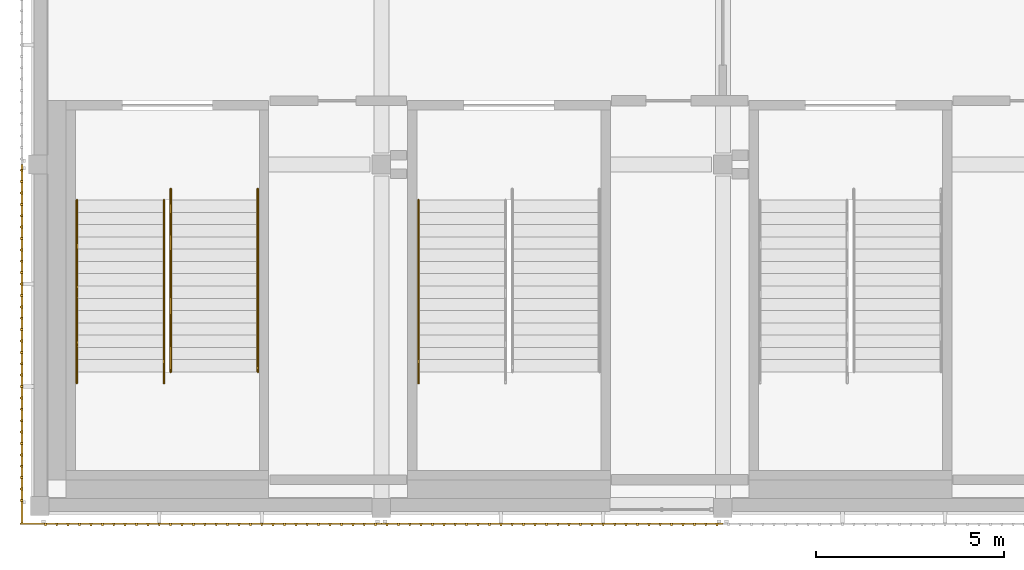
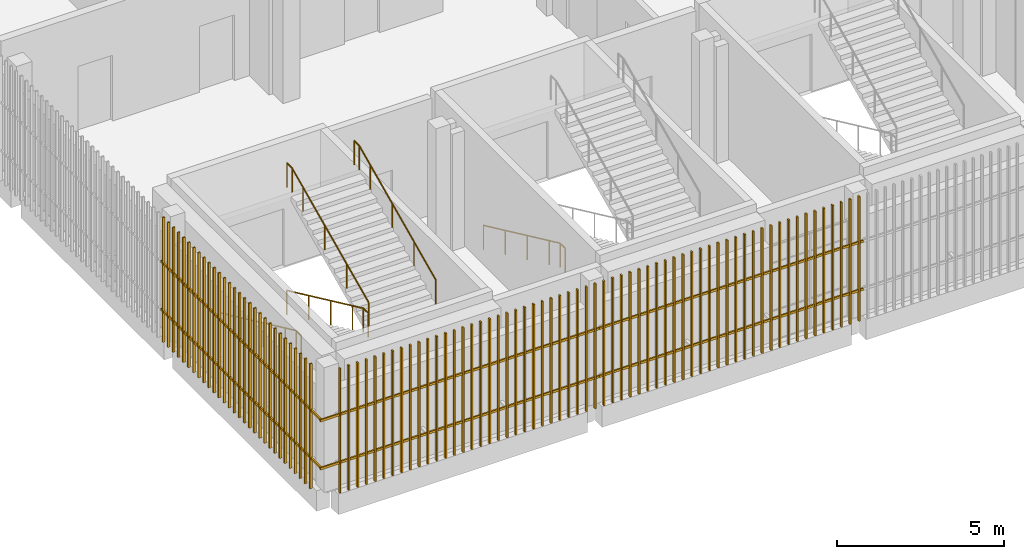
# One storey, part 103 of 124: 5 railings, 3 shading devices.
"""IFC4 building model written with IfcOpenShell, lengths in metres."""

from ifc_helpers import new_model, si_unit, direction, frame, origin, origin_2d, place, context, subcontext, project, spatial, rectangle, circle, extrude, material, type_object, element, save


model = new_model("IFC4")

# Units and contexts
model_context = context("Model", 3, precision=1e-05, world=origin(), true_north=direction((0.0, 1.0)))
body_context = subcontext(model_context, "Body", "Model", "MODEL_VIEW")
ifc_project = project(units=[si_unit("LENGTHUNIT", "METRE"), si_unit("AREAUNIT", "SQUARE_METRE"), si_unit("VOLUMEUNIT", "CUBIC_METRE"), si_unit("PLANEANGLEUNIT", "RADIAN"), si_unit("MASSUNIT", "GRAM", prefix="KILO")], contexts=[model_context])

# Site, building, storey
site_placement = place(None, origin())
site = spatial("IfcSite", under=ifc_project, at=site_placement, CompositionType="ELEMENT")
building_placement = place(site_placement, origin())
building = spatial("IfcBuilding", under=site, at=building_placement, Name="Shirokan Park Arena", CompositionType="ELEMENT")
storey_placement = place(building_placement, frame((0.0, 0.0, 20.02001953125)))
storey = spatial("IfcBuildingStorey", under=building, at=storey_placement, Name="L04", CompositionType="ELEMENT", Elevation=20.02001953125)

# Railings
ifc_material_1 = material(Name="Stainless steel", Category="steel")
railing_type = type_object("IfcRailingType", Name="Stair handrail 900", PredefinedType="HANDRAIL", material=ifc_material_1)
railing_1_placement = place(storey_placement, frame((0.989990234375, 8.14990234375, 0.151611328125)))
element("IfcRailing", 1, at=railing_1_placement, inside=storey, type_object=railing_type, Name="Handrail Exit Stair 1.A L04 to L05", PredefinedType="HANDRAIL", context=body_context, shape_type="SweptSolid", body=[
    extrude(circle(Radius=0.02392578125, at=origin_2d()), frame((0.0, 0.0, 0.8759765625), z_axis=(0.0, -0.906999720516, 0.421131222998), x_axis=(1.0, 0.0, 0.0)), (0.0, 0.0, 1.0), 1.440673828125),
    extrude(circle(Radius=0.02392578125, at=origin_2d()), frame((0.0, -1.306640625, 1.482421875), z_axis=(0.0, -0.907029769225, 0.421066500378), x_axis=(1.0, 0.0, 0.0)), (0.0, 0.0, 1.0), 1.44091796875),
    extrude(circle(Radius=0.02392578125, at=origin_2d()), frame((0.0, -2.613525390625, 2.08935546875), z_axis=(0.0, -0.907029769225, 0.421066500378), x_axis=(1.0, 0.0, 0.0)), (0.0, 0.0, 1.0), 1.44091796875),
    extrude(circle(Radius=0.02392578125, at=origin_2d()), frame((0.0, -3.92041015625, 2.69580078125), z_axis=(0.0, -0.907064445915, 0.420991794405), x_axis=(1.0, 0.0, 0.0)), (0.0, 0.0, 1.0), 0.72021484375),
    extrude(circle(Radius=0.02392578125, at=origin_2d()), frame((0.0, -4.57373046875, 2.9990234375), z_axis=(0.0, -1.0, 0.0), x_axis=(1.0, 0.0, 0.0)), (0.0, 0.0, 1.0), 0.300048828125),
    extrude(circle(Radius=0.02099609375, at=origin_2d()), origin(), (0.0, 0.0, 1.0), 0.851806640625),
    extrude(circle(Radius=0.02099609375, at=origin_2d()), frame((0.0, -1.306640625, 0.606689453125)), (0.0, 0.0, 1.0), 0.851806640625),
    extrude(circle(Radius=0.02099609375, at=origin_2d()), frame((0.0, -2.613525390625, 1.21337890625)), (0.0, 0.0, 1.0), 0.851806640625),
    extrude(circle(Radius=0.02099609375, at=origin_2d()), frame((0.0, -3.92041015625, 1.820068359375)), (0.0, 0.0, 1.0), 0.851806640625),
    extrude(circle(Radius=0.02099609375, at=origin_2d()), frame((0.0, -4.57373046875, 2.123291015625)), (0.0, 0.0, 1.0), 0.851806640625),
    extrude(circle(Radius=0.02099609375, at=origin_2d()), frame((0.0, -4.873779296875, 2.123291015625)), (0.0, 0.0, 1.0), 0.851806640625),
])
railing_2_placement = place(storey_placement, frame((3.31005859375, 8.14990234375, 0.151611328125)))
element("IfcRailing", 2, at=railing_2_placement, inside=storey, type_object=railing_type, Name="Handrail Exit Stair 1.A L04 to L05", PredefinedType="HANDRAIL", context=body_context, shape_type="SweptSolid", body=[
    extrude(circle(Radius=0.02392578125, at=origin_2d()), frame((0.0, 0.0, 0.8759765625), z_axis=(0.0, -0.906999720516, 0.421131222998), x_axis=(1.0, 0.0, 0.0)), (0.0, 0.0, 1.0), 1.440673828125),
    extrude(circle(Radius=0.02392578125, at=origin_2d()), frame((0.0, -1.306640625, 1.482421875), z_axis=(0.0, -0.907029769225, 0.421066500378), x_axis=(1.0, 0.0, 0.0)), (0.0, 0.0, 1.0), 1.44091796875),
    extrude(circle(Radius=0.02392578125, at=origin_2d()), frame((0.0, -2.613525390625, 2.08935546875), z_axis=(0.0, -0.907029769225, 0.421066500378), x_axis=(1.0, 0.0, 0.0)), (0.0, 0.0, 1.0), 1.44091796875),
    extrude(circle(Radius=0.02392578125, at=origin_2d()), frame((0.0, -3.92041015625, 2.69580078125), z_axis=(0.0, -0.907064445915, 0.420991794405), x_axis=(1.0, 0.0, 0.0)), (0.0, 0.0, 1.0), 0.72021484375),
    extrude(circle(Radius=0.02392578125, at=origin_2d()), frame((0.0, -4.57373046875, 2.9990234375), z_axis=(0.0, -1.0, 0.0), x_axis=(1.0, 0.0, 0.0)), (0.0, 0.0, 1.0), 0.300048828125),
    extrude(circle(Radius=0.02099609375, at=origin_2d()), origin(), (0.0, 0.0, 1.0), 0.851806640625),
    extrude(circle(Radius=0.02099609375, at=origin_2d()), frame((0.0, -1.306640625, 0.606689453125)), (0.0, 0.0, 1.0), 0.851806640625),
    extrude(circle(Radius=0.02099609375, at=origin_2d()), frame((0.0, -2.613525390625, 1.21337890625)), (0.0, 0.0, 1.0), 0.851806640625),
    extrude(circle(Radius=0.02099609375, at=origin_2d()), frame((0.0, -3.92041015625, 1.820068359375)), (0.0, 0.0, 1.0), 0.851806640625),
    extrude(circle(Radius=0.02099609375, at=origin_2d()), frame((0.0, -4.57373046875, 2.123291015625)), (0.0, 0.0, 1.0), 0.851806640625),
    extrude(circle(Radius=0.02099609375, at=origin_2d()), frame((0.0, -4.873779296875, 2.123291015625)), (0.0, 0.0, 1.0), 0.851806640625),
])
railing_3_placement = place(storey_placement, frame((3.489990234375, 3.576171875, 2.4267578125)))
element("IfcRailing", 3, at=railing_3_placement, inside=storey, type_object=railing_type, Name="Handrail Exit Stair 1.A L04 to L05", PredefinedType="HANDRAIL", context=body_context, shape_type="SweptSolid", body=[
    extrude(circle(Radius=0.02392578125, at=origin_2d()), frame((0.0, 0.0, 0.8759765625), z_axis=(0.0, 0.907094476872, 0.420927083981), x_axis=(-1.0, 0.0, 0.0)), (0.0, 0.0, 1.0), 1.440673828125),
    extrude(circle(Radius=0.02392578125, at=origin_2d()), frame((0.0, 1.306884765625, 1.482421875), z_axis=(0.0, 0.906999720516, 0.421131222998), x_axis=(-1.0, 0.0, 0.0)), (0.0, 0.0, 1.0), 1.440673828125),
    extrude(circle(Radius=0.02392578125, at=origin_2d()), frame((0.0, 2.613525390625, 2.0888671875), z_axis=(0.0, 0.907029769225, 0.421066500378), x_axis=(-1.0, 0.0, 0.0)), (0.0, 0.0, 1.0), 1.44091796875),
    extrude(circle(Radius=0.02392578125, at=origin_2d()), frame((0.0, 3.92041015625, 2.69580078125), z_axis=(0.0, 0.906934982928, 0.421270621741), x_axis=(-1.0, 0.0, 0.0)), (0.0, 0.0, 1.0), 0.720458984375),
    extrude(circle(Radius=0.02392578125, at=origin_2d()), frame((0.0, 4.57373046875, 2.9990234375), z_axis=(0.0, 1.0, 0.0), x_axis=(-1.0, 0.0, 0.0)), (0.0, 0.0, 1.0), 0.300048828125),
    extrude(circle(Radius=0.02099609375, at=origin_2d()), origin(), (0.0, 0.0, 1.0), 0.851806640625),
    extrude(circle(Radius=0.02099609375, at=origin_2d()), frame((0.0, 1.306884765625, 0.6064453125)), (0.0, 0.0, 1.0), 0.851806640625),
    extrude(circle(Radius=0.02099609375, at=origin_2d()), frame((0.0, 2.613525390625, 1.213134765625)), (0.0, 0.0, 1.0), 0.851806640625),
    extrude(circle(Radius=0.02099609375, at=origin_2d()), frame((0.0, 3.92041015625, 1.81982421875)), (0.0, 0.0, 1.0), 0.851806640625),
    extrude(circle(Radius=0.02099609375, at=origin_2d()), frame((0.0, 4.57373046875, 2.123291015625)), (0.0, 0.0, 1.0), 0.851806640625),
    extrude(circle(Radius=0.02099609375, at=origin_2d()), frame((0.0, 4.873779296875, 2.123291015625)), (0.0, 0.0, 1.0), 0.851806640625),
])
railing_4_placement = place(storey_placement, frame((5.81005859375, 3.576171875, 2.4267578125)))
element("IfcRailing", 4, at=railing_4_placement, inside=storey, type_object=railing_type, Name="Handrail Exit Stair 1.A L04 to L05", PredefinedType="HANDRAIL", context=body_context, shape_type="SweptSolid", body=[
    extrude(circle(Radius=0.02392578125, at=origin_2d()), frame((0.0, 0.0, 0.8759765625), z_axis=(0.0, 0.907094476872, 0.420927083981), x_axis=(-1.0, 0.0, 0.0)), (0.0, 0.0, 1.0), 1.440673828125),
    extrude(circle(Radius=0.02392578125, at=origin_2d()), frame((0.0, 1.306884765625, 1.482421875), z_axis=(0.0, 0.906999720516, 0.421131222998), x_axis=(-1.0, 0.0, 0.0)), (0.0, 0.0, 1.0), 1.440673828125),
    extrude(circle(Radius=0.02392578125, at=origin_2d()), frame((0.0, 2.613525390625, 2.0888671875), z_axis=(0.0, 0.907029769225, 0.421066500378), x_axis=(-1.0, 0.0, 0.0)), (0.0, 0.0, 1.0), 1.44091796875),
    extrude(circle(Radius=0.02392578125, at=origin_2d()), frame((0.0, 3.92041015625, 2.69580078125), z_axis=(0.0, 0.906934982928, 0.421270621741), x_axis=(-1.0, 0.0, 0.0)), (0.0, 0.0, 1.0), 0.720458984375),
    extrude(circle(Radius=0.02392578125, at=origin_2d()), frame((0.0, 4.57373046875, 2.9990234375), z_axis=(0.0, 1.0, 0.0), x_axis=(-1.0, 0.0, 0.0)), (0.0, 0.0, 1.0), 0.300048828125),
    extrude(circle(Radius=0.02099609375, at=origin_2d()), origin(), (0.0, 0.0, 1.0), 0.851806640625),
    extrude(circle(Radius=0.02099609375, at=origin_2d()), frame((0.0, 1.306884765625, 0.6064453125)), (0.0, 0.0, 1.0), 0.851806640625),
    extrude(circle(Radius=0.02099609375, at=origin_2d()), frame((0.0, 2.613525390625, 1.213134765625)), (0.0, 0.0, 1.0), 0.851806640625),
    extrude(circle(Radius=0.02099609375, at=origin_2d()), frame((0.0, 3.92041015625, 1.81982421875)), (0.0, 0.0, 1.0), 0.851806640625),
    extrude(circle(Radius=0.02099609375, at=origin_2d()), frame((0.0, 4.57373046875, 2.123291015625)), (0.0, 0.0, 1.0), 0.851806640625),
    extrude(circle(Radius=0.02099609375, at=origin_2d()), frame((0.0, 4.873779296875, 2.123291015625)), (0.0, 0.0, 1.0), 0.851806640625),
])
railing_5_placement = place(storey_placement, frame((10.090087890625, 8.14990234375, 0.151611328125)))
element("IfcRailing", 5, at=railing_5_placement, inside=storey, type_object=railing_type, Name="Handrail Exit Stair 1.B L04 to L05", PredefinedType="HANDRAIL", context=body_context, shape_type="SweptSolid", body=[
    extrude(circle(Radius=0.02392578125, at=origin_2d()), frame((0.0, 0.0, 0.8759765625), z_axis=(0.0, -0.906999720516, 0.421131222998), x_axis=(1.0, 0.0, 0.0)), (0.0, 0.0, 1.0), 1.440673828125),
    extrude(circle(Radius=0.02392578125, at=origin_2d()), frame((0.0, -1.306640625, 1.482421875), z_axis=(0.0, -0.907029769225, 0.421066500378), x_axis=(1.0, 0.0, 0.0)), (0.0, 0.0, 1.0), 1.44091796875),
    extrude(circle(Radius=0.02392578125, at=origin_2d()), frame((0.0, -2.613525390625, 2.08935546875), z_axis=(0.0, -0.907029769225, 0.421066500378), x_axis=(1.0, 0.0, 0.0)), (0.0, 0.0, 1.0), 1.44091796875),
    extrude(circle(Radius=0.02392578125, at=origin_2d()), frame((0.0, -3.92041015625, 2.69580078125), z_axis=(0.0, -0.907064445915, 0.420991794405), x_axis=(1.0, 0.0, 0.0)), (0.0, 0.0, 1.0), 0.72021484375),
    extrude(circle(Radius=0.02392578125, at=origin_2d()), frame((0.0, -4.57373046875, 2.9990234375), z_axis=(0.0, -1.0, 0.0), x_axis=(1.0, 0.0, 0.0)), (0.0, 0.0, 1.0), 0.300048828125),
    extrude(circle(Radius=0.02099609375, at=origin_2d()), origin(), (0.0, 0.0, 1.0), 0.851806640625),
    extrude(circle(Radius=0.02099609375, at=origin_2d()), frame((0.0, -1.306640625, 0.606689453125)), (0.0, 0.0, 1.0), 0.851806640625),
    extrude(circle(Radius=0.02099609375, at=origin_2d()), frame((0.0, -2.613525390625, 1.21337890625)), (0.0, 0.0, 1.0), 0.851806640625),
    extrude(circle(Radius=0.02099609375, at=origin_2d()), frame((0.0, -3.92041015625, 1.820068359375)), (0.0, 0.0, 1.0), 0.851806640625),
    extrude(circle(Radius=0.02099609375, at=origin_2d()), frame((0.0, -4.57373046875, 2.123291015625)), (0.0, 0.0, 1.0), 0.851806640625),
    extrude(circle(Radius=0.02099609375, at=origin_2d()), frame((0.0, -4.873779296875, 2.123291015625)), (0.0, 0.0, 1.0), 0.851806640625),
])

# Shading devices
ifc_material_2 = material(Name="Timber louvre veil (cedar)", Category="wood")
shading_device_type = type_object("IfcShadingDeviceType", Name="Timber louvre veil panel", PredefinedType="JALOUSIE", material=ifc_material_2)
shading_device_1_placement = place(storey_placement, origin())
element("IfcShadingDevice", 6, at=shading_device_1_placement, inside=storey, type_object=shading_device_type, Name="Timber louvre veil south bay 1 L04", PredefinedType="JALOUSIE", context=body_context, shape_type="SweptSolid", body=[
    extrude(rectangle(XDim=0.050048828125, YDim=0.080078125, at=origin_2d()), frame((0.151611328125, -0.485107421875, 0.0), z_axis=(0.0, 0.0, 1.0), x_axis=(1.0, 0.0, 0.0)), (0.0, 0.0, 1.0), 4.550048828125),
    extrude(rectangle(XDim=0.050048828125, YDim=0.080078125, at=origin_2d()), frame((0.455078125, -0.485107421875, 0.0), z_axis=(0.0, 0.0, 1.0), x_axis=(1.0, 0.0, 0.0)), (0.0, 0.0, 1.0), 4.550048828125),
    extrude(rectangle(XDim=0.050048828125, YDim=0.080078125, at=origin_2d()), frame((0.75830078125, -0.485107421875, 0.0), z_axis=(0.0, 0.0, 1.0), x_axis=(1.0, 0.0, 0.0)), (0.0, 0.0, 1.0), 4.550048828125),
    extrude(rectangle(XDim=0.050048828125, YDim=0.080078125, at=origin_2d()), frame((1.061767578125, -0.485107421875, 0.0), z_axis=(0.0, 0.0, 1.0), x_axis=(1.0, 0.0, 0.0)), (0.0, 0.0, 1.0), 4.550048828125),
    extrude(rectangle(XDim=0.050048828125, YDim=0.080078125, at=origin_2d()), frame((1.364990234375, -0.485107421875, 0.0), z_axis=(0.0, 0.0, 1.0), x_axis=(1.0, 0.0, 0.0)), (0.0, 0.0, 1.0), 4.550048828125),
    extrude(rectangle(XDim=0.050048828125, YDim=0.080078125, at=origin_2d()), frame((1.668212890625, -0.485107421875, 0.0), z_axis=(0.0, 0.0, 1.0), x_axis=(1.0, 0.0, 0.0)), (0.0, 0.0, 1.0), 4.550048828125),
    extrude(rectangle(XDim=0.050048828125, YDim=0.080078125, at=origin_2d()), frame((1.9716796875, -0.485107421875, 0.0), z_axis=(0.0, 0.0, 1.0), x_axis=(1.0, 0.0, 0.0)), (0.0, 0.0, 1.0), 4.550048828125),
    extrude(rectangle(XDim=0.050048828125, YDim=0.080078125, at=origin_2d()), frame((2.27490234375, -0.485107421875, 0.0), z_axis=(0.0, 0.0, 1.0), x_axis=(1.0, 0.0, 0.0)), (0.0, 0.0, 1.0), 4.550048828125),
    extrude(rectangle(XDim=0.050048828125, YDim=0.080078125, at=origin_2d()), frame((2.578369140625, -0.485107421875, 0.0), z_axis=(0.0, 0.0, 1.0), x_axis=(1.0, 0.0, 0.0)), (0.0, 0.0, 1.0), 4.550048828125),
    extrude(rectangle(XDim=0.050048828125, YDim=0.080078125, at=origin_2d()), frame((2.881591796875, -0.485107421875, 0.0), z_axis=(0.0, 0.0, 1.0), x_axis=(1.0, 0.0, 0.0)), (0.0, 0.0, 1.0), 4.550048828125),
    extrude(rectangle(XDim=0.050048828125, YDim=0.080078125, at=origin_2d()), frame((3.18505859375, -0.485107421875, 0.0), z_axis=(0.0, 0.0, 1.0), x_axis=(1.0, 0.0, 0.0)), (0.0, 0.0, 1.0), 4.550048828125),
    extrude(rectangle(XDim=0.050048828125, YDim=0.080078125, at=origin_2d()), frame((3.48828125, -0.485107421875, 0.0), z_axis=(0.0, 0.0, 1.0), x_axis=(1.0, 0.0, 0.0)), (0.0, 0.0, 1.0), 4.550048828125),
    extrude(rectangle(XDim=0.050048828125, YDim=0.080078125, at=origin_2d()), frame((3.791748046875, -0.485107421875, 0.0), z_axis=(0.0, 0.0, 1.0), x_axis=(1.0, 0.0, 0.0)), (0.0, 0.0, 1.0), 4.550048828125),
    extrude(rectangle(XDim=0.050048828125, YDim=0.080078125, at=origin_2d()), frame((4.094970703125, -0.485107421875, 0.0), z_axis=(0.0, 0.0, 1.0), x_axis=(1.0, 0.0, 0.0)), (0.0, 0.0, 1.0), 4.550048828125),
    extrude(rectangle(XDim=0.050048828125, YDim=0.080078125, at=origin_2d()), frame((4.3984375, -0.485107421875, 0.0), z_axis=(0.0, 0.0, 1.0), x_axis=(1.0, 0.0, 0.0)), (0.0, 0.0, 1.0), 4.550048828125),
    extrude(rectangle(XDim=0.050048828125, YDim=0.080078125, at=origin_2d()), frame((4.70166015625, -0.485107421875, 0.0), z_axis=(0.0, 0.0, 1.0), x_axis=(1.0, 0.0, 0.0)), (0.0, 0.0, 1.0), 4.550048828125),
    extrude(rectangle(XDim=0.050048828125, YDim=0.080078125, at=origin_2d()), frame((5.0048828125, -0.485107421875, 0.0), z_axis=(0.0, 0.0, 1.0), x_axis=(1.0, 0.0, 0.0)), (0.0, 0.0, 1.0), 4.550048828125),
    extrude(rectangle(XDim=0.050048828125, YDim=0.080078125, at=origin_2d()), frame((5.308349609375, -0.485107421875, 0.0), z_axis=(0.0, 0.0, 1.0), x_axis=(1.0, 0.0, 0.0)), (0.0, 0.0, 1.0), 4.550048828125),
    extrude(rectangle(XDim=0.050048828125, YDim=0.080078125, at=origin_2d()), frame((5.611572265625, -0.485107421875, 0.0), z_axis=(0.0, 0.0, 1.0), x_axis=(1.0, 0.0, 0.0)), (0.0, 0.0, 1.0), 4.550048828125),
    extrude(rectangle(XDim=0.050048828125, YDim=0.080078125, at=origin_2d()), frame((5.9150390625, -0.485107421875, 0.0), z_axis=(0.0, 0.0, 1.0), x_axis=(1.0, 0.0, 0.0)), (0.0, 0.0, 1.0), 4.550048828125),
    extrude(rectangle(XDim=0.050048828125, YDim=0.080078125, at=origin_2d()), frame((6.21826171875, -0.485107421875, 0.0), z_axis=(0.0, 0.0, 1.0), x_axis=(1.0, 0.0, 0.0)), (0.0, 0.0, 1.0), 4.550048828125),
    extrude(rectangle(XDim=0.050048828125, YDim=0.080078125, at=origin_2d()), frame((6.521728515625, -0.485107421875, 0.0), z_axis=(0.0, 0.0, 1.0), x_axis=(1.0, 0.0, 0.0)), (0.0, 0.0, 1.0), 4.550048828125),
    extrude(rectangle(XDim=0.050048828125, YDim=0.080078125, at=origin_2d()), frame((6.824951171875, -0.485107421875, 0.0), z_axis=(0.0, 0.0, 1.0), x_axis=(1.0, 0.0, 0.0)), (0.0, 0.0, 1.0), 4.550048828125),
    extrude(rectangle(XDim=0.050048828125, YDim=0.080078125, at=origin_2d()), frame((7.12841796875, -0.485107421875, 0.0), z_axis=(0.0, 0.0, 1.0), x_axis=(1.0, 0.0, 0.0)), (0.0, 0.0, 1.0), 4.550048828125),
    extrude(rectangle(XDim=0.050048828125, YDim=0.080078125, at=origin_2d()), frame((7.431640625, -0.485107421875, 0.0), z_axis=(0.0, 0.0, 1.0), x_axis=(1.0, 0.0, 0.0)), (0.0, 0.0, 1.0), 4.550048828125),
    extrude(rectangle(XDim=0.050048828125, YDim=0.080078125, at=origin_2d()), frame((7.735107421875, -0.485107421875, 0.0), z_axis=(0.0, 0.0, 1.0), x_axis=(1.0, 0.0, 0.0)), (0.0, 0.0, 1.0), 4.550048828125),
    extrude(rectangle(XDim=0.050048828125, YDim=0.080078125, at=origin_2d()), frame((8.038330078125, -0.485107421875, 0.0), z_axis=(0.0, 0.0, 1.0), x_axis=(1.0, 0.0, 0.0)), (0.0, 0.0, 1.0), 4.550048828125),
    extrude(rectangle(XDim=0.050048828125, YDim=0.080078125, at=origin_2d()), frame((8.341552734375, -0.485107421875, 0.0), z_axis=(0.0, 0.0, 1.0), x_axis=(1.0, 0.0, 0.0)), (0.0, 0.0, 1.0), 4.550048828125),
    extrude(rectangle(XDim=0.050048828125, YDim=0.080078125, at=origin_2d()), frame((8.64501953125, -0.485107421875, 0.0), z_axis=(0.0, 0.0, 1.0), x_axis=(1.0, 0.0, 0.0)), (0.0, 0.0, 1.0), 4.550048828125),
    extrude(rectangle(XDim=0.050048828125, YDim=0.080078125, at=origin_2d()), frame((8.9482421875, -0.485107421875, 0.0), z_axis=(0.0, 0.0, 1.0), x_axis=(1.0, 0.0, 0.0)), (0.0, 0.0, 1.0), 4.550048828125),
    extrude(rectangle(XDim=9.625, YDim=0.050048828125, at=origin_2d()), frame((4.28759765625, -0.469970703125, 1.06005859375), z_axis=(0.0, 0.0, 1.0), x_axis=(1.0, 0.0, 0.0)), (0.0, 0.0, 1.0), 0.080078125),
    extrude(rectangle(XDim=9.625, YDim=0.050048828125, at=origin_2d()), frame((4.28759765625, -0.469970703125, 2.81005859375), z_axis=(0.0, 0.0, 1.0), x_axis=(1.0, 0.0, 0.0)), (0.0, 0.0, 1.0), 0.080078125),
])
shading_device_2_placement = place(storey_placement, origin())
element("IfcShadingDevice", 7, at=shading_device_2_placement, inside=storey, type_object=shading_device_type, Name="Timber louvre veil south bay 2 L04", PredefinedType="JALOUSIE", context=body_context, shape_type="SweptSolid", body=[
    extrude(rectangle(XDim=0.050048828125, YDim=0.080078125, at=origin_2d()), frame((9.251708984375, -0.485107421875, 0.0), z_axis=(0.0, 0.0, 1.0), x_axis=(1.0, 0.0, 0.0)), (0.0, 0.0, 1.0), 4.550048828125),
    extrude(rectangle(XDim=0.050048828125, YDim=0.080078125, at=origin_2d()), frame((9.554931640625, -0.485107421875, 0.0), z_axis=(0.0, 0.0, 1.0), x_axis=(1.0, 0.0, 0.0)), (0.0, 0.0, 1.0), 4.550048828125),
    extrude(rectangle(XDim=0.050048828125, YDim=0.080078125, at=origin_2d()), frame((9.8583984375, -0.485107421875, 0.0), z_axis=(0.0, 0.0, 1.0), x_axis=(1.0, 0.0, 0.0)), (0.0, 0.0, 1.0), 4.550048828125),
    extrude(rectangle(XDim=0.050048828125, YDim=0.080078125, at=origin_2d()), frame((10.16162109375, -0.485107421875, 0.0), z_axis=(0.0, 0.0, 1.0), x_axis=(1.0, 0.0, 0.0)), (0.0, 0.0, 1.0), 4.550048828125),
    extrude(rectangle(XDim=0.050048828125, YDim=0.080078125, at=origin_2d()), frame((10.465087890625, -0.485107421875, 0.0), z_axis=(0.0, 0.0, 1.0), x_axis=(1.0, 0.0, 0.0)), (0.0, 0.0, 1.0), 4.550048828125),
    extrude(rectangle(XDim=0.050048828125, YDim=0.080078125, at=origin_2d()), frame((10.768310546875, -0.485107421875, 0.0), z_axis=(0.0, 0.0, 1.0), x_axis=(1.0, 0.0, 0.0)), (0.0, 0.0, 1.0), 4.550048828125),
    extrude(rectangle(XDim=0.050048828125, YDim=0.080078125, at=origin_2d()), frame((11.07177734375, -0.485107421875, 0.0), z_axis=(0.0, 0.0, 1.0), x_axis=(1.0, 0.0, 0.0)), (0.0, 0.0, 1.0), 4.550048828125),
    extrude(rectangle(XDim=0.050048828125, YDim=0.080078125, at=origin_2d()), frame((11.375, -0.485107421875, 0.0), z_axis=(0.0, 0.0, 1.0), x_axis=(1.0, 0.0, 0.0)), (0.0, 0.0, 1.0), 4.550048828125),
    extrude(rectangle(XDim=0.050048828125, YDim=0.080078125, at=origin_2d()), frame((11.67822265625, -0.485107421875, 0.0), z_axis=(0.0, 0.0, 1.0), x_axis=(1.0, 0.0, 0.0)), (0.0, 0.0, 1.0), 4.550048828125),
    extrude(rectangle(XDim=0.050048828125, YDim=0.080078125, at=origin_2d()), frame((11.981689453125, -0.485107421875, 0.0), z_axis=(0.0, 0.0, 1.0), x_axis=(1.0, 0.0, 0.0)), (0.0, 0.0, 1.0), 4.550048828125),
    extrude(rectangle(XDim=0.050048828125, YDim=0.080078125, at=origin_2d()), frame((12.284912109375, -0.485107421875, 0.0), z_axis=(0.0, 0.0, 1.0), x_axis=(1.0, 0.0, 0.0)), (0.0, 0.0, 1.0), 4.550048828125),
    extrude(rectangle(XDim=0.050048828125, YDim=0.080078125, at=origin_2d()), frame((12.58837890625, -0.485107421875, 0.0), z_axis=(0.0, 0.0, 1.0), x_axis=(1.0, 0.0, 0.0)), (0.0, 0.0, 1.0), 4.550048828125),
    extrude(rectangle(XDim=0.050048828125, YDim=0.080078125, at=origin_2d()), frame((12.8916015625, -0.485107421875, 0.0), z_axis=(0.0, 0.0, 1.0), x_axis=(1.0, 0.0, 0.0)), (0.0, 0.0, 1.0), 4.550048828125),
    extrude(rectangle(XDim=0.050048828125, YDim=0.080078125, at=origin_2d()), frame((13.195068359375, -0.485107421875, 0.0), z_axis=(0.0, 0.0, 1.0), x_axis=(1.0, 0.0, 0.0)), (0.0, 0.0, 1.0), 4.550048828125),
    extrude(rectangle(XDim=0.050048828125, YDim=0.080078125, at=origin_2d()), frame((13.498291015625, -0.485107421875, 0.0), z_axis=(0.0, 0.0, 1.0), x_axis=(1.0, 0.0, 0.0)), (0.0, 0.0, 1.0), 4.550048828125),
    extrude(rectangle(XDim=0.050048828125, YDim=0.080078125, at=origin_2d()), frame((13.8017578125, -0.485107421875, 0.0), z_axis=(0.0, 0.0, 1.0), x_axis=(1.0, 0.0, 0.0)), (0.0, 0.0, 1.0), 4.550048828125),
    extrude(rectangle(XDim=0.050048828125, YDim=0.080078125, at=origin_2d()), frame((14.10498046875, -0.485107421875, 0.0), z_axis=(0.0, 0.0, 1.0), x_axis=(1.0, 0.0, 0.0)), (0.0, 0.0, 1.0), 4.550048828125),
    extrude(rectangle(XDim=0.050048828125, YDim=0.080078125, at=origin_2d()), frame((14.408447265625, -0.485107421875, 0.0), z_axis=(0.0, 0.0, 1.0), x_axis=(1.0, 0.0, 0.0)), (0.0, 0.0, 1.0), 4.550048828125),
    extrude(rectangle(XDim=0.050048828125, YDim=0.080078125, at=origin_2d()), frame((14.711669921875, -0.485107421875, 0.0), z_axis=(0.0, 0.0, 1.0), x_axis=(1.0, 0.0, 0.0)), (0.0, 0.0, 1.0), 4.550048828125),
    extrude(rectangle(XDim=0.050048828125, YDim=0.080078125, at=origin_2d()), frame((15.014892578125, -0.485107421875, 0.0), z_axis=(0.0, 0.0, 1.0), x_axis=(1.0, 0.0, 0.0)), (0.0, 0.0, 1.0), 4.550048828125),
    extrude(rectangle(XDim=0.050048828125, YDim=0.080078125, at=origin_2d()), frame((15.318359375, -0.485107421875, 0.0), z_axis=(0.0, 0.0, 1.0), x_axis=(1.0, 0.0, 0.0)), (0.0, 0.0, 1.0), 4.550048828125),
    extrude(rectangle(XDim=0.050048828125, YDim=0.080078125, at=origin_2d()), frame((15.62158203125, -0.485107421875, 0.0), z_axis=(0.0, 0.0, 1.0), x_axis=(1.0, 0.0, 0.0)), (0.0, 0.0, 1.0), 4.550048828125),
    extrude(rectangle(XDim=0.050048828125, YDim=0.080078125, at=origin_2d()), frame((15.925048828125, -0.485107421875, 0.0), z_axis=(0.0, 0.0, 1.0), x_axis=(1.0, 0.0, 0.0)), (0.0, 0.0, 1.0), 4.550048828125),
    extrude(rectangle(XDim=0.050048828125, YDim=0.080078125, at=origin_2d()), frame((16.228271484375, -0.485107421875, 0.0), z_axis=(0.0, 0.0, 1.0), x_axis=(1.0, 0.0, 0.0)), (0.0, 0.0, 1.0), 4.550048828125),
    extrude(rectangle(XDim=0.050048828125, YDim=0.080078125, at=origin_2d()), frame((16.53173828125, -0.485107421875, 0.0), z_axis=(0.0, 0.0, 1.0), x_axis=(1.0, 0.0, 0.0)), (0.0, 0.0, 1.0), 4.550048828125),
    extrude(rectangle(XDim=0.050048828125, YDim=0.080078125, at=origin_2d()), frame((16.8349609375, -0.485107421875, 0.0), z_axis=(0.0, 0.0, 1.0), x_axis=(1.0, 0.0, 0.0)), (0.0, 0.0, 1.0), 4.550048828125),
    extrude(rectangle(XDim=0.050048828125, YDim=0.080078125, at=origin_2d()), frame((17.138427734375, -0.485107421875, 0.0), z_axis=(0.0, 0.0, 1.0), x_axis=(1.0, 0.0, 0.0)), (0.0, 0.0, 1.0), 4.550048828125),
    extrude(rectangle(XDim=0.050048828125, YDim=0.080078125, at=origin_2d()), frame((17.441650390625, -0.485107421875, 0.0), z_axis=(0.0, 0.0, 1.0), x_axis=(1.0, 0.0, 0.0)), (0.0, 0.0, 1.0), 4.550048828125),
    extrude(rectangle(XDim=0.050048828125, YDim=0.080078125, at=origin_2d()), frame((17.7451171875, -0.485107421875, 0.0), z_axis=(0.0, 0.0, 1.0), x_axis=(1.0, 0.0, 0.0)), (0.0, 0.0, 1.0), 4.550048828125),
    extrude(rectangle(XDim=0.050048828125, YDim=0.080078125, at=origin_2d()), frame((18.04833984375, -0.485107421875, 0.0), z_axis=(0.0, 0.0, 1.0), x_axis=(1.0, 0.0, 0.0)), (0.0, 0.0, 1.0), 4.550048828125),
    extrude(rectangle(XDim=9.10009765625, YDim=0.050048828125, at=origin_2d()), frame((13.64990234375, -0.469970703125, 1.06005859375), z_axis=(0.0, 0.0, 1.0), x_axis=(1.0, 0.0, 0.0)), (0.0, 0.0, 1.0), 0.080078125),
    extrude(rectangle(XDim=9.10009765625, YDim=0.050048828125, at=origin_2d()), frame((13.64990234375, -0.469970703125, 2.81005859375), z_axis=(0.0, 0.0, 1.0), x_axis=(1.0, 0.0, 0.0)), (0.0, 0.0, 1.0), 0.080078125),
])
shading_device_3_placement = place(storey_placement, origin())
element("IfcShadingDevice", 8, at=shading_device_3_placement, inside=storey, type_object=shading_device_type, Name="Timber louvre veil west bay 12 L04", PredefinedType="JALOUSIE", context=body_context, shape_type="SweptSolid", body=[
    extrude(rectangle(XDim=0.050048828125, YDim=0.080078125, at=origin_2d()), frame((-0.485107421875, 8.9482421875, 0.0), z_axis=(0.0, 0.0, 1.0), x_axis=(0.0, -1.0, 0.0)), (0.0, 0.0, 1.0), 4.550048828125),
    extrude(rectangle(XDim=0.050048828125, YDim=0.080078125, at=origin_2d()), frame((-0.485107421875, 8.64501953125, 0.0), z_axis=(0.0, 0.0, 1.0), x_axis=(0.0, -1.0, 0.0)), (0.0, 0.0, 1.0), 4.550048828125),
    extrude(rectangle(XDim=0.050048828125, YDim=0.080078125, at=origin_2d()), frame((-0.485107421875, 8.341552734375, 0.0), z_axis=(0.0, 0.0, 1.0), x_axis=(0.0, -1.0, 0.0)), (0.0, 0.0, 1.0), 4.550048828125),
    extrude(rectangle(XDim=0.050048828125, YDim=0.080078125, at=origin_2d()), frame((-0.485107421875, 8.038330078125, 0.0), z_axis=(0.0, 0.0, 1.0), x_axis=(0.0, -1.0, 0.0)), (0.0, 0.0, 1.0), 4.550048828125),
    extrude(rectangle(XDim=0.050048828125, YDim=0.080078125, at=origin_2d()), frame((-0.485107421875, 7.735107421875, 0.0), z_axis=(0.0, 0.0, 1.0), x_axis=(0.0, -1.0, 0.0)), (0.0, 0.0, 1.0), 4.550048828125),
    extrude(rectangle(XDim=0.050048828125, YDim=0.080078125, at=origin_2d()), frame((-0.485107421875, 7.431640625, 0.0), z_axis=(0.0, 0.0, 1.0), x_axis=(0.0, -1.0, 0.0)), (0.0, 0.0, 1.0), 4.550048828125),
    extrude(rectangle(XDim=0.050048828125, YDim=0.080078125, at=origin_2d()), frame((-0.485107421875, 7.12841796875, 0.0), z_axis=(0.0, 0.0, 1.0), x_axis=(0.0, -1.0, 0.0)), (0.0, 0.0, 1.0), 4.550048828125),
    extrude(rectangle(XDim=0.050048828125, YDim=0.080078125, at=origin_2d()), frame((-0.485107421875, 6.824951171875, 0.0), z_axis=(0.0, 0.0, 1.0), x_axis=(0.0, -1.0, 0.0)), (0.0, 0.0, 1.0), 4.550048828125),
    extrude(rectangle(XDim=0.050048828125, YDim=0.080078125, at=origin_2d()), frame((-0.485107421875, 6.521728515625, 0.0), z_axis=(0.0, 0.0, 1.0), x_axis=(0.0, -1.0, 0.0)), (0.0, 0.0, 1.0), 4.550048828125),
    extrude(rectangle(XDim=0.050048828125, YDim=0.080078125, at=origin_2d()), frame((-0.485107421875, 6.21826171875, 0.0), z_axis=(0.0, 0.0, 1.0), x_axis=(0.0, -1.0, 0.0)), (0.0, 0.0, 1.0), 4.550048828125),
    extrude(rectangle(XDim=0.050048828125, YDim=0.080078125, at=origin_2d()), frame((-0.485107421875, 5.9150390625, 0.0), z_axis=(0.0, 0.0, 1.0), x_axis=(0.0, -1.0, 0.0)), (0.0, 0.0, 1.0), 4.550048828125),
    extrude(rectangle(XDim=0.050048828125, YDim=0.080078125, at=origin_2d()), frame((-0.485107421875, 5.611572265625, 0.0), z_axis=(0.0, 0.0, 1.0), x_axis=(0.0, -1.0, 0.0)), (0.0, 0.0, 1.0), 4.550048828125),
    extrude(rectangle(XDim=0.050048828125, YDim=0.080078125, at=origin_2d()), frame((-0.485107421875, 5.308349609375, 0.0), z_axis=(0.0, 0.0, 1.0), x_axis=(0.0, -1.0, 0.0)), (0.0, 0.0, 1.0), 4.550048828125),
    extrude(rectangle(XDim=0.050048828125, YDim=0.080078125, at=origin_2d()), frame((-0.485107421875, 5.0048828125, 0.0), z_axis=(0.0, 0.0, 1.0), x_axis=(0.0, -1.0, 0.0)), (0.0, 0.0, 1.0), 4.550048828125),
    extrude(rectangle(XDim=0.050048828125, YDim=0.080078125, at=origin_2d()), frame((-0.485107421875, 4.70166015625, 0.0), z_axis=(0.0, 0.0, 1.0), x_axis=(0.0, -1.0, 0.0)), (0.0, 0.0, 1.0), 4.550048828125),
    extrude(rectangle(XDim=0.050048828125, YDim=0.080078125, at=origin_2d()), frame((-0.485107421875, 4.3984375, 0.0), z_axis=(0.0, 0.0, 1.0), x_axis=(0.0, -1.0, 0.0)), (0.0, 0.0, 1.0), 4.550048828125),
    extrude(rectangle(XDim=0.050048828125, YDim=0.080078125, at=origin_2d()), frame((-0.485107421875, 4.094970703125, 0.0), z_axis=(0.0, 0.0, 1.0), x_axis=(0.0, -1.0, 0.0)), (0.0, 0.0, 1.0), 4.550048828125),
    extrude(rectangle(XDim=0.050048828125, YDim=0.080078125, at=origin_2d()), frame((-0.485107421875, 3.791748046875, 0.0), z_axis=(0.0, 0.0, 1.0), x_axis=(0.0, -1.0, 0.0)), (0.0, 0.0, 1.0), 4.550048828125),
    extrude(rectangle(XDim=0.050048828125, YDim=0.080078125, at=origin_2d()), frame((-0.485107421875, 3.48828125, 0.0), z_axis=(0.0, 0.0, 1.0), x_axis=(0.0, -1.0, 0.0)), (0.0, 0.0, 1.0), 4.550048828125),
    extrude(rectangle(XDim=0.050048828125, YDim=0.080078125, at=origin_2d()), frame((-0.485107421875, 3.18505859375, 0.0), z_axis=(0.0, 0.0, 1.0), x_axis=(0.0, -1.0, 0.0)), (0.0, 0.0, 1.0), 4.550048828125),
    extrude(rectangle(XDim=0.050048828125, YDim=0.080078125, at=origin_2d()), frame((-0.485107421875, 2.881591796875, 0.0), z_axis=(0.0, 0.0, 1.0), x_axis=(0.0, -1.0, 0.0)), (0.0, 0.0, 1.0), 4.550048828125),
    extrude(rectangle(XDim=0.050048828125, YDim=0.080078125, at=origin_2d()), frame((-0.485107421875, 2.578369140625, 0.0), z_axis=(0.0, 0.0, 1.0), x_axis=(0.0, -1.0, 0.0)), (0.0, 0.0, 1.0), 4.550048828125),
    extrude(rectangle(XDim=0.050048828125, YDim=0.080078125, at=origin_2d()), frame((-0.485107421875, 2.27490234375, 0.0), z_axis=(0.0, 0.0, 1.0), x_axis=(0.0, -1.0, 0.0)), (0.0, 0.0, 1.0), 4.550048828125),
    extrude(rectangle(XDim=0.050048828125, YDim=0.080078125, at=origin_2d()), frame((-0.485107421875, 1.9716796875, 0.0), z_axis=(0.0, 0.0, 1.0), x_axis=(0.0, -1.0, 0.0)), (0.0, 0.0, 1.0), 4.550048828125),
    extrude(rectangle(XDim=0.050048828125, YDim=0.080078125, at=origin_2d()), frame((-0.485107421875, 1.668212890625, 0.0), z_axis=(0.0, 0.0, 1.0), x_axis=(0.0, -1.0, 0.0)), (0.0, 0.0, 1.0), 4.550048828125),
    extrude(rectangle(XDim=0.050048828125, YDim=0.080078125, at=origin_2d()), frame((-0.485107421875, 1.364990234375, 0.0), z_axis=(0.0, 0.0, 1.0), x_axis=(0.0, -1.0, 0.0)), (0.0, 0.0, 1.0), 4.550048828125),
    extrude(rectangle(XDim=0.050048828125, YDim=0.080078125, at=origin_2d()), frame((-0.485107421875, 1.061767578125, 0.0), z_axis=(0.0, 0.0, 1.0), x_axis=(0.0, -1.0, 0.0)), (0.0, 0.0, 1.0), 4.550048828125),
    extrude(rectangle(XDim=0.050048828125, YDim=0.080078125, at=origin_2d()), frame((-0.485107421875, 0.75830078125, 0.0), z_axis=(0.0, 0.0, 1.0), x_axis=(0.0, -1.0, 0.0)), (0.0, 0.0, 1.0), 4.550048828125),
    extrude(rectangle(XDim=0.050048828125, YDim=0.080078125, at=origin_2d()), frame((-0.485107421875, 0.455078125, 0.0), z_axis=(0.0, 0.0, 1.0), x_axis=(0.0, -1.0, 0.0)), (0.0, 0.0, 1.0), 4.550048828125),
    extrude(rectangle(XDim=0.050048828125, YDim=0.080078125, at=origin_2d()), frame((-0.485107421875, 0.151611328125, 0.0), z_axis=(0.0, 0.0, 1.0), x_axis=(0.0, -1.0, 0.0)), (0.0, 0.0, 1.0), 4.550048828125),
    extrude(rectangle(XDim=9.544921875, YDim=0.050048828125, at=origin_2d()), frame((-0.469970703125, 4.327392578125, 1.06005859375), z_axis=(0.0, 0.0, 1.0), x_axis=(0.0, -1.0, 0.0)), (0.0, 0.0, 1.0), 0.080078125),
    extrude(rectangle(XDim=9.544921875, YDim=0.050048828125, at=origin_2d()), frame((-0.469970703125, 4.327392578125, 2.81005859375), z_axis=(0.0, 0.0, 1.0), x_axis=(0.0, -1.0, 0.0)), (0.0, 0.0, 1.0), 0.080078125),
])

save(model, "model.ifc")
